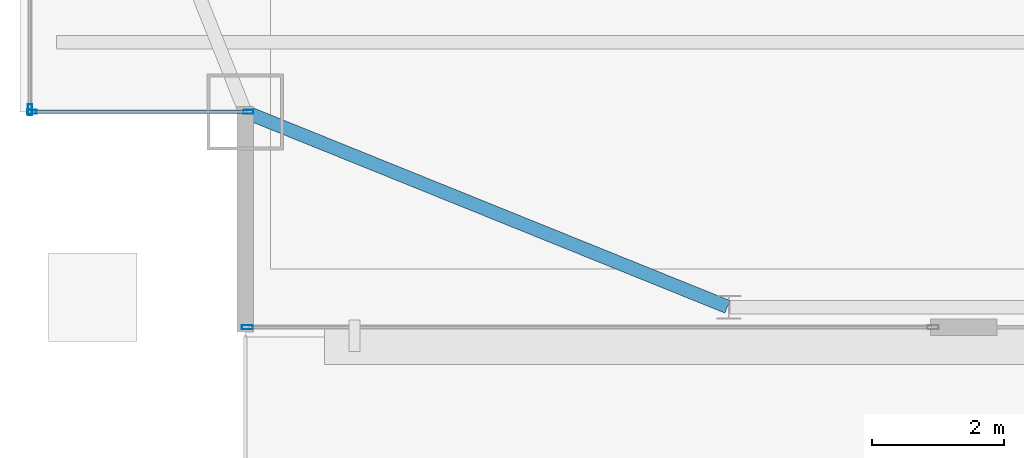
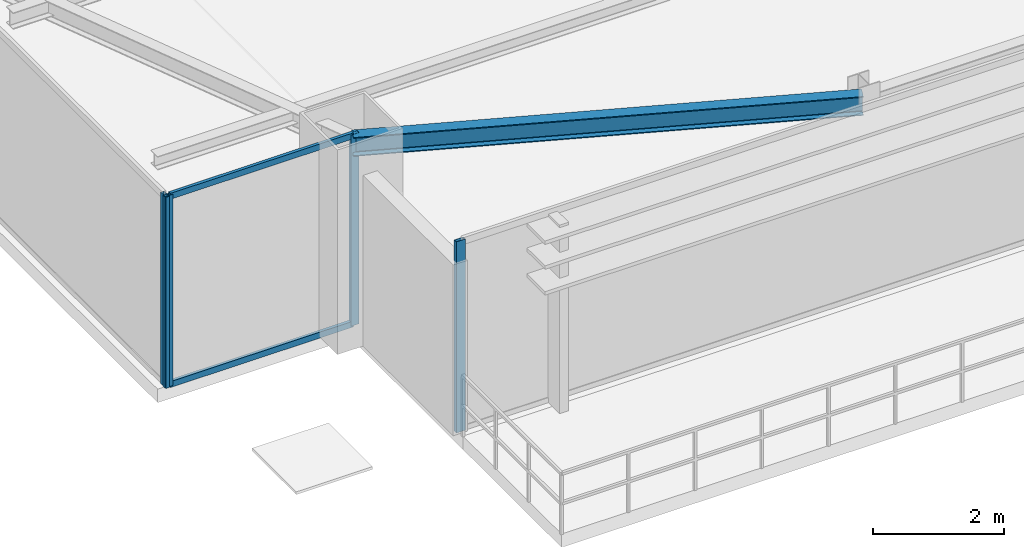
# One storey, part 4 of 33: 6 members, 1 beam, 3 elements without a shape of their own.
"""IFC4 building model written with IfcOpenShell, lengths in metres."""

from ifc_helpers import new_model, si_unit, direction, frame, origin, origin_2d, place, context, subcontext, project, spatial, hollow_rectangle, i_section, extrude, source, transform, mapped, material, layer, layer_set, material_profile, profile_set, type_object, type_shapes, element, aggregate, save


model = new_model("IFC4")

# Units and contexts
model_context = context("Model", 3, precision=1e-05, world=origin(), true_north=direction((0.0, 1.0)))
body_context = subcontext(model_context, "Body", "Model", "MODEL_VIEW")
ifc_project = project(units=[si_unit("LENGTHUNIT", "METRE"), si_unit("AREAUNIT", "SQUARE_METRE"), si_unit("VOLUMEUNIT", "CUBIC_METRE"), si_unit("PLANEANGLEUNIT", "RADIAN"), si_unit("MASSUNIT", "GRAM", prefix="KILO")], contexts=[model_context])

# Site, building, storey
site_placement = place(None, origin())
site = spatial("IfcSite", under=ifc_project, at=site_placement, CompositionType="ELEMENT")
building_placement = place(site_placement, origin())
building = spatial("IfcBuilding", under=site, at=building_placement, Name="Varnel Quay Broadcast Tower", CompositionType="ELEMENT")
storey_placement = place(building_placement, frame((0.0, 0.0, 199.800048828125)))
storey = spatial("IfcBuildingStorey", under=building, at=storey_placement, Name="L49", CompositionType="ELEMENT", Elevation=199.800048828125)

# Beam
ifc_material_1 = material(Name="Structural Steel CSA G40.21 350W", Category="steel")
ifc_material_profile_1 = material_profile(ifc_material_1, i_section(OverallWidth=0.205078125, OverallDepth=0.35400390625, WebThickness=0.009521484375, FlangeThickness=0.016845703125, FilletRadius=0.012939453125, at=origin_2d()), Name="W360X79")
ifc_profile_set_1 = profile_set([ifc_material_profile_1], Name="Structural Steel CSA G40.21 350W")
beam_type = type_object("IfcBeamType", Name="Beam_W360X79", PredefinedType="SPANDREL", material=ifc_profile_set_1)
shared_shape_1 = source(origin(), body_context, "Body", "SweptSolid", [
    extrude(i_section(OverallWidth=0.205078125, OverallDepth=0.35400390625, WebThickness=0.009521484375, FlangeThickness=0.016845703125, FilletRadius=0.012939453125, at=origin_2d()), origin(), (0.0, 0.0, 1.0), 7.83349609375),
])
type_shapes(beam_type, [shared_shape_1])
beam_placement = place(storey_placement, frame((12.91845703125, 13.592529296875, 3.373046875), z_axis=(0.927155449606, -0.374676890489, 0.0), x_axis=(0.374676890489, 0.927155449606, 0.0)))
element("IfcBeam", 1, at=beam_placement, inside=storey, type_object=beam_type, Name="L49 South Spandrel MC-SW-TC-S1", PredefinedType="SPANDREL", context=body_context, shape_type="MappedRepresentation", body=[
    mapped(shared_shape_1, transform((0.0, 0.0, 0.0), x_axis=(1.0, 0.0, 0.0), y_axis=(0.0, 1.0, 0.0), z_axis=(0.0, 0.0, 1.0), scale=1.0)),
])

# Curtain wall, members
ifc_material_2 = material(Name="Anodised Bronze Aluminium 6063-T6", Category="aluminium")
ifc_layer_1 = layer(ifc_material_2, 0.18994140625, Name="Anodised Bronze Aluminium 6063-T6")
ifc_layer_set_1 = layer_set([ifc_layer_1], Name="Anodised Bronze Aluminium 6063-T6")
curtain_wall_type_1 = type_object("IfcCurtainWallType", Name="CW_NotchCorner", PredefinedType="NOTDEFINED", material=ifc_layer_set_1)
curtain_wall_1_placement = place(storey_placement, origin())
curtain_wall_1 = element("IfcCurtainWall", 2, at=curtain_wall_1_placement, inside=storey, type_object=curtain_wall_type_1, Name="L49 SW Notch Curtain Wall", PredefinedType="NOTDEFINED")
ifc_material_profile_2 = material_profile(ifc_material_2, hollow_rectangle(XDim=0.06005859375, YDim=0.14501953125, WallThickness=0.00341796875, at=origin_2d()), Name="ALU60X145X3.5")
ifc_profile_set_2 = profile_set([ifc_material_profile_2], Name="Anodised Bronze Aluminium 6063-T6")
member_type_1 = type_object("IfcMemberType", Name="Mull_CWS-04", PredefinedType="MULLION", material=ifc_profile_set_2)
shared_shape_2 = source(origin(), body_context, "Body", "SweptSolid", [
    extrude(hollow_rectangle(XDim=0.06005859375, YDim=0.14501953125, WallThickness=0.00341796875, at=origin_2d()), origin(), (0.0, 0.0, 1.0), 3.550048828125),
])
type_shapes(member_type_1, [shared_shape_2])
member_1_placement = place(storey_placement, frame((9.679931640625, 13.60009765625, 0.0), z_axis=(0.0, 0.0, 1.0), x_axis=(0.0, 1.0, 0.0)))
member_1 = element("IfcMember", 3, at=member_1_placement, type_object=member_type_1, Name="CWS-04 mullion 1", PredefinedType="MULLION", context=body_context, shape_type="MappedRepresentation", body=[
    mapped(shared_shape_2, transform((0.0, 0.0, 0.0), x_axis=(1.0, 0.0, 0.0), y_axis=(0.0, 1.0, 0.0), z_axis=(0.0, 0.0, 1.0), scale=1.0)),
])
member_2_placement = place(storey_placement, frame((12.949951171875, 13.60009765625, 0.0), z_axis=(0.0, 0.0, 1.0), x_axis=(0.0, 1.0, 0.0)))
member_2 = element("IfcMember", 4, at=member_2_placement, type_object=member_type_1, Name="CWS-04 mullion 2", PredefinedType="MULLION", context=body_context, shape_type="MappedRepresentation", body=[
    mapped(shared_shape_2, transform((0.0, 0.0, 0.0), x_axis=(1.0, 0.0, 0.0), y_axis=(0.0, 1.0, 0.0), z_axis=(0.0, 0.0, 1.0), scale=1.0)),
])

# Curtain wall, member
ifc_layer_2 = layer(ifc_material_2, 0.18994140625, Name="Anodised Bronze Aluminium 6063-T6")
ifc_layer_set_2 = layer_set([ifc_layer_2], Name="Anodised Bronze Aluminium 6063-T6")
curtain_wall_type_2 = type_object("IfcCurtainWallType", Name="CW_UpperTower", PredefinedType="NOTDEFINED", material=ifc_layer_set_2)
curtain_wall_2_placement = place(storey_placement, origin())
curtain_wall_2 = element("IfcCurtainWall", 5, at=curtain_wall_2_placement, inside=storey, type_object=curtain_wall_type_2, Name="L49 South Unitised Curtain Wall 1", PredefinedType="NOTDEFINED")
ifc_material_profile_3 = material_profile(ifc_material_2, hollow_rectangle(XDim=0.06494140625, YDim=0.1650390625, WallThickness=0.00341796875, at=origin_2d()), Name="ALU65X165X3.5")
ifc_profile_set_3 = profile_set([ifc_material_profile_3], Name="Anodised Bronze Aluminium 6063-T6")
member_type_2 = type_object("IfcMemberType", Name="Mull_CWS-03", PredefinedType="MULLION", material=ifc_profile_set_3)
shared_shape_3 = source(origin(), body_context, "Body", "SweptSolid", [
    extrude(hollow_rectangle(XDim=0.06494140625, YDim=0.1650390625, WallThickness=0.00341796875, at=origin_2d()), origin(), (0.0, 0.0, 1.0), 3.550048828125),
])
type_shapes(member_type_2, [shared_shape_3])
member_3_placement = place(storey_placement, frame((12.9326171875, 10.35009765625, 0.0), z_axis=(0.0, 0.0, 1.0), x_axis=(0.0, 1.0, 0.0)))
member_3 = element("IfcMember", 6, at=member_3_placement, type_object=member_type_2, Name="CWS-03 mullion 1", PredefinedType="MULLION", context=body_context, shape_type="MappedRepresentation", body=[
    mapped(shared_shape_3, transform((0.0, 0.0, 0.0), x_axis=(1.0, 0.0, 0.0), y_axis=(0.0, 1.0, 0.0), z_axis=(0.0, 0.0, 1.0), scale=1.0)),
])
aggregate(curtain_wall_2, [member_3])

curtain_wall_3_placement = place(storey_placement, origin())
curtain_wall_3 = element("IfcCurtainWall", 7, at=curtain_wall_3_placement, inside=storey, type_object=curtain_wall_type_2, Name="L49 West Unitised Curtain Wall", PredefinedType="NOTDEFINED")
member_4_placement = place(storey_placement, frame((9.64990234375, 13.632568359375, 0.0), z_axis=(0.0, 0.0, 1.0), x_axis=(-1.0, 0.0, 0.0)))
member_4 = element("IfcMember", 8, at=member_4_placement, type_object=member_type_2, Name="CWS-03 mullion 1", PredefinedType="MULLION", context=body_context, shape_type="MappedRepresentation", body=[
    mapped(shared_shape_3, transform((0.0, 0.0, 0.0), x_axis=(1.0, 0.0, 0.0), y_axis=(0.0, 1.0, 0.0), z_axis=(0.0, 0.0, 1.0), scale=1.0)),
])
aggregate(curtain_wall_3, [member_4])

# Member
ifc_material_profile_4 = material_profile(ifc_material_2, hollow_rectangle(XDim=0.054931640625, YDim=0.110107421875, WallThickness=0.0029296875, at=origin_2d()), Name="ALU55X110X3")
ifc_profile_set_4 = profile_set([ifc_material_profile_4], Name="Anodised Bronze Aluminium 6063-T6")
member_type_3 = type_object("IfcMemberType", Name="Tran_CWS-04", PredefinedType="USERDEFINED", material=ifc_profile_set_4)
shared_shape_4 = source(origin(), body_context, "Body", "SweptSolid", [
    extrude(hollow_rectangle(XDim=0.054931640625, YDim=0.110107421875, WallThickness=0.0029296875, at=origin_2d()), origin(), (0.0, 0.0, 1.0), 3.2099609375),
])
type_shapes(member_type_3, [shared_shape_4])
member_5_placement = place(storey_placement, frame((9.7099609375, 13.60009765625, 0.02734375), z_axis=(1.0, 0.0, 0.0), x_axis=(0.0, 1.0, 0.0)))
member_5 = element("IfcMember", 9, at=member_5_placement, type_object=member_type_3, Name="CWS-04 transom 1.1", ObjectType="TRANSOM", PredefinedType="USERDEFINED", context=body_context, shape_type="MappedRepresentation", body=[
    mapped(shared_shape_4, transform((0.0, 0.0, 0.0), x_axis=(1.0, 0.0, 0.0), y_axis=(0.0, 1.0, 0.0), z_axis=(0.0, 0.0, 1.0), scale=1.0)),
])

member_6_placement = place(storey_placement, frame((9.7099609375, 13.60009765625, 3.5224609375), z_axis=(1.0, 0.0, 0.0), x_axis=(0.0, 1.0, 0.0)))
member_6 = element("IfcMember", 10, at=member_6_placement, type_object=member_type_3, Name="CWS-04 transom 1.2", ObjectType="TRANSOM", PredefinedType="USERDEFINED", context=body_context, shape_type="MappedRepresentation", body=[
    mapped(shared_shape_4, transform((0.0, 0.0, 0.0), x_axis=(1.0, 0.0, 0.0), y_axis=(0.0, 1.0, 0.0), z_axis=(0.0, 0.0, 1.0), scale=1.0)),
])

aggregate(curtain_wall_1, [member_1, member_2, member_5, member_6])

save(model, "model.ifc")
